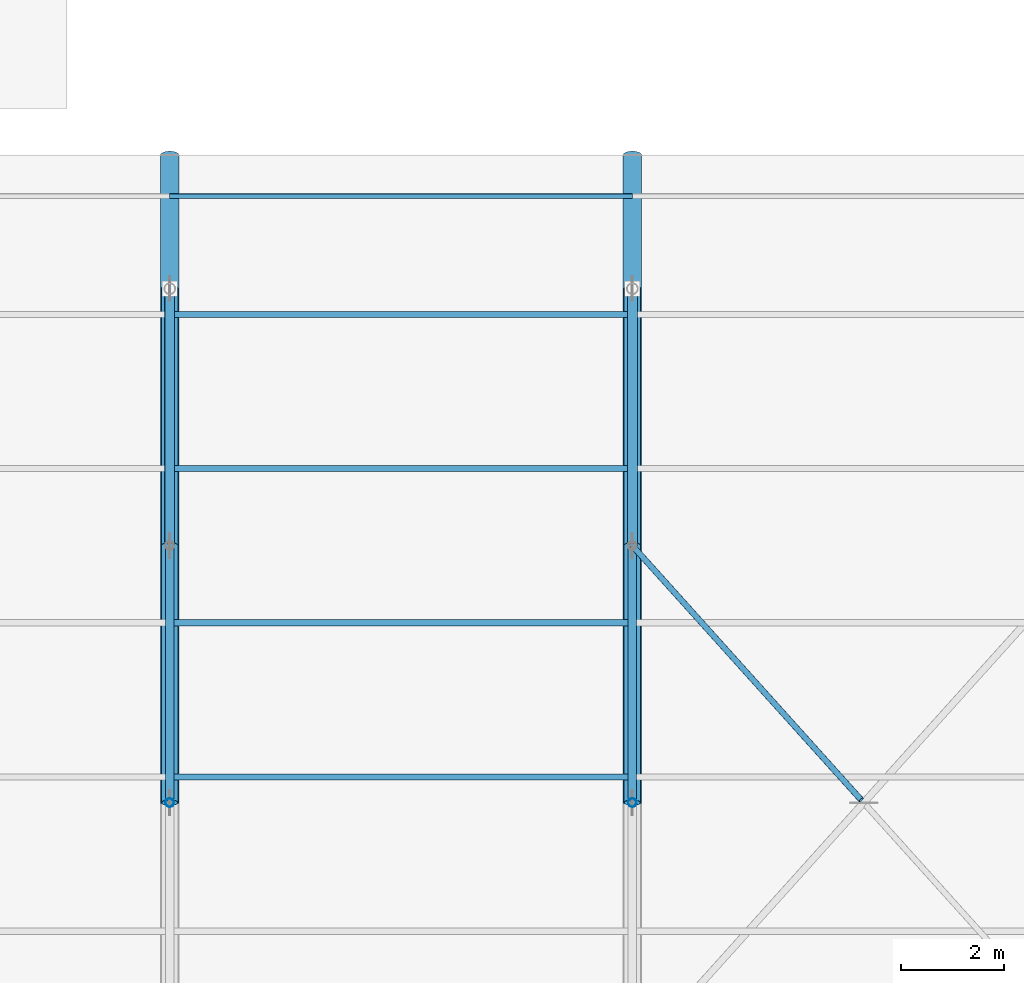
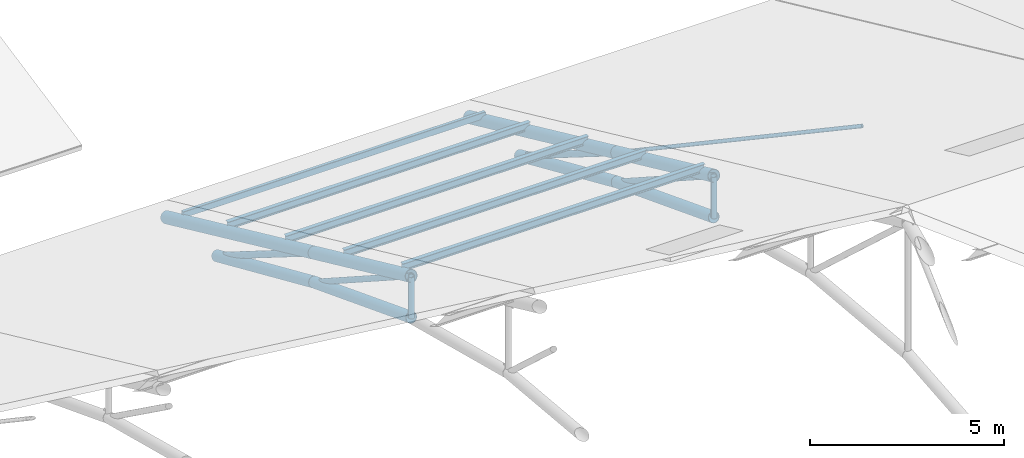
# One storey, part 48 of 107: 20 members.
"""IFC4 building model written with IfcOpenShell, lengths in metres."""

from ifc_helpers import new_model, si_unit, derived_unit, direction, frame, origin, origin_2d, place, context, subcontext, project, spatial, hollow_rectangle, hollow_circle, i_section, extrude, material, material_profile, profile_set, type_object, element, save


model = new_model("IFC4")

# Units and contexts
model_context = context("Model", 3, precision=1e-05, world=origin(), true_north=direction((0.0, 1.0)))
body_context = subcontext(model_context, "Body", "Model", "MODEL_VIEW")
ifc_project = project(units=[si_unit("LENGTHUNIT", "METRE"), si_unit("AREAUNIT", "SQUARE_METRE"), si_unit("VOLUMEUNIT", "CUBIC_METRE"), si_unit("PLANEANGLEUNIT", "RADIAN"), si_unit("MASSUNIT", "GRAM", prefix="KILO"), si_unit("THERMODYNAMICTEMPERATUREUNIT", "KELVIN"), si_unit("TIMEUNIT", "SECOND"), derived_unit("THERMALTRANSMITTANCEUNIT", [(si_unit("MASSUNIT", "GRAM", prefix="KILO"), 1), (si_unit("THERMODYNAMICTEMPERATUREUNIT", "KELVIN"), -1), (si_unit("TIMEUNIT", "SECOND"), -3)])], contexts=[model_context])

# Site, building, storey
site_placement = place(None, origin())
site = spatial("IfcSite", under=ifc_project, at=site_placement, CompositionType="ELEMENT")
building_placement = place(site_placement, origin())
building = spatial("IfcBuilding", under=site, at=building_placement, Name="Cambertide Market Hall", CompositionType="ELEMENT")
storey_placement = place(building_placement, frame((0.0, 0.0, 18.300048828125)))
storey = spatial("IfcBuildingStorey", under=building, at=storey_placement, Name="RF", CompositionType="ELEMENT", Elevation=18.300048828125)

# Members
ifc_material_1 = material(Name="Steel S355", Category="steel")
ifc_material_profile_1 = material_profile(ifc_material_1, hollow_circle(Radius=0.161865234375, WallThickness=0.010009765625, at=origin_2d()), Name="CHS 323.9x10")
ifc_profile_set_1 = profile_set([ifc_material_profile_1], Name="Steel S355")
member_type_1 = type_object("IfcMemberType", Name="Arched Truss Chord CHS 323.9x10", PredefinedType="CHORD", material=ifc_profile_set_1)
member_1_placement = place(storey_placement, frame((87.0, 82.0, -6.251220703125), z_axis=(0.0, 0.933191676524, -0.359379040661), x_axis=(-1.0, 0.0, 0.0)))
element("IfcMember", 1, at=member_1_placement, inside=storey, type_object=member_type_1, Name="Roof Truss 6 Arched Bottom Chord 7", PredefinedType="CHORD", context=body_context, shape_type="SweptSolid", body=[
    extrude(hollow_circle(Radius=0.161865234375, WallThickness=0.010009765625, at=origin_2d()), origin(), (0.0, 0.0, 1.0), 5.35791015625),
])
member_2_placement = place(storey_placement, frame((87.0, 87.0, -8.1767578125), z_axis=(0.0, 0.915087583381, -0.403255148438), x_axis=(-1.0, 0.0, 0.0)))
element("IfcMember", 2, at=member_2_placement, inside=storey, type_object=member_type_1, Name="Roof Truss 6 Arched Bottom Chord 8", PredefinedType="CHORD", context=body_context, shape_type="SweptSolid", body=[
    extrude(hollow_circle(Radius=0.161865234375, WallThickness=0.010009765625, at=origin_2d()), origin(), (0.0, 0.0, 1.0), 5.4638671875),
])
member_3_placement = place(storey_placement, frame((96.0, 82.0, -6.251220703125), z_axis=(0.0, 0.933191676524, -0.359379040661), x_axis=(-1.0, 0.0, 0.0)))
element("IfcMember", 3, at=member_3_placement, inside=storey, type_object=member_type_1, Name="Roof Truss 7 Arched Bottom Chord 7", PredefinedType="CHORD", context=body_context, shape_type="SweptSolid", body=[
    extrude(hollow_circle(Radius=0.161865234375, WallThickness=0.010009765625, at=origin_2d()), origin(), (0.0, 0.0, 1.0), 5.35791015625),
])
member_4_placement = place(storey_placement, frame((96.0, 87.0, -8.1767578125), z_axis=(0.0, 0.915087583381, -0.403255148438), x_axis=(-1.0, 0.0, 0.0)))
element("IfcMember", 4, at=member_4_placement, inside=storey, type_object=member_type_1, Name="Roof Truss 7 Arched Bottom Chord 8", PredefinedType="CHORD", context=body_context, shape_type="SweptSolid", body=[
    extrude(hollow_circle(Radius=0.161865234375, WallThickness=0.010009765625, at=origin_2d()), origin(), (0.0, 0.0, 1.0), 5.4638671875),
])
ifc_material_2 = material(Name="Steel S355", Category="steel")
ifc_material_profile_2 = material_profile(ifc_material_2, hollow_circle(Radius=0.177734375, WallThickness=0.012451171875, at=origin_2d()), Name="CHS 355.6x12.5")
ifc_profile_set_2 = profile_set([ifc_material_profile_2], Name="Steel S355")
member_type_2 = type_object("IfcMemberType", Name="Arched Truss Chord CHS 355.6x12.5", PredefinedType="CHORD", material=ifc_profile_set_2)
for number, where, z_axis, x_axis, name in (
    (5, (87.0, 82.0, -4.949951171875), (0.0, 0.908487084298, -0.417912930721), (-1.0, 0.0, 0.0), "Roof Truss 6 Top Chord 7"),
    (6, (96.0, 82.0, -4.949951171875), (0.0, 0.908487084298, -0.417912930721), (-1.0, 0.0, 0.0), "Roof Truss 7 Top Chord 7"),
):
    element("IfcMember", number, at=place(storey_placement, frame(where, z_axis=z_axis, x_axis=x_axis)), inside=storey, type_object=member_type_2, Name=name, PredefinedType="CHORD", context=body_context, shape_type="SweptSolid", body=[
        extrude(hollow_circle(Radius=0.177734375, WallThickness=0.012451171875, at=origin_2d()), origin(), (0.0, 0.0, 1.0), 5.503662109375),
    ])
ifc_material_3 = material(Name="Steel S355", Category="steel")
ifc_material_profile_3 = material_profile(ifc_material_3, hollow_circle(Radius=0.177734375, WallThickness=0.012451171875, at=origin_2d()), Name="CHS 355.6x12.5")
ifc_profile_set_3 = profile_set([ifc_material_profile_3], Name="Steel S355")
member_type_3 = type_object("IfcMemberType", Name="Exterior Arched Truss Chord CHS 355.6x12.5", PredefinedType="CHORD", material=ifc_profile_set_3)
for number, where, z_axis, x_axis, name in (
    (7, (87.0, 87.0, -7.25), (0.0, 0.908488236671, -0.417910425606), (-1.0, 0.0, 0.0), "Roof Truss 6 Top Chord 8"),
    (8, (96.0, 87.0, -7.25), (0.0, 0.908488236671, -0.417910425606), (-1.0, 0.0, 0.0), "Roof Truss 7 Top Chord 8"),
):
    element("IfcMember", number, at=place(storey_placement, frame(where, z_axis=z_axis, x_axis=x_axis)), inside=storey, type_object=member_type_3, Name=name, PredefinedType="CHORD", context=body_context, shape_type="SweptSolid", body=[
        extrude(hollow_circle(Radius=0.177734375, WallThickness=0.012451171875, at=origin_2d()), origin(), (0.0, 0.0, 1.0), 8.36572265625),
    ])
ifc_material_4 = material(Name="Steel S275", Category="steel")
ifc_material_profile_4 = material_profile(ifc_material_4, hollow_rectangle(XDim=0.10009765625, YDim=0.199951171875, WallThickness=0.00634765625, InnerFilletRadius=0.00634765625, OuterFilletRadius=0.0126953125, at=origin_2d()), Name="RHS 200x100x6.3")
ifc_profile_set_4 = profile_set([ifc_material_profile_4], Name="Steel S275")
member_type_4 = type_object("IfcMemberType", Name="Exterior Roof Purlin RHS 200x100x6.3", PredefinedType="PURLIN", material=ifc_profile_set_4)
member_5_placement = place(storey_placement, frame((87.0, 93.800048828125, -10.16796875), z_axis=(1.0, 0.0, 0.0), x_axis=(0.0, 1.0, 0.0)))
element("IfcMember", 9, at=member_5_placement, inside=storey, type_object=member_type_4, Name="Barrel Roof Purlin 6-16", PredefinedType="PURLIN", context=body_context, shape_type="SweptSolid", body=[
    extrude(hollow_rectangle(XDim=0.10009765625, YDim=0.199951171875, WallThickness=0.00634765625, InnerFilletRadius=0.00634765625, OuterFilletRadius=0.0126953125, at=origin_2d()), origin(), (0.0, 0.0, 1.0), 9.0),
])
ifc_material_5 = material(Name="Steel S275", Category="steel")
ifc_material_profile_5 = material_profile(ifc_material_5, i_section(OverallWidth=0.1201171875, OverallDepth=0.239990234375, WebThickness=0.006103515625, FlangeThickness=0.009765625, FilletRadius=0.014892578125, at=origin_2d()), Name="IPE 240")
ifc_profile_set_5 = profile_set([ifc_material_profile_5], Name="Steel S275")
member_type_5 = type_object("IfcMemberType", Name="Roof Purlin IPE 240", PredefinedType="PURLIN", material=ifc_profile_set_5)
for number, where, z_axis, x_axis, name in (
    (10, (87.0, 82.5, -4.969970703125), (1.0, 0.0, 0.0), (0.0, 1.0, 0.0), "Barrel Roof Purlin 6-12"),
    (11, (87.0, 85.5, -6.35009765625), (1.0, 0.0, 0.0), (0.0, 1.0, 0.0), "Barrel Roof Purlin 6-13"),
    (12, (87.0, 88.5, -7.72998046875), (1.0, 0.0, 0.0), (0.0, 1.0, 0.0), "Barrel Roof Purlin 6-14"),
    (13, (87.0, 91.5, -9.110107421875), (1.0, 0.0, 0.0), (0.0, 1.0, 0.0), "Barrel Roof Purlin 6-15"),
):
    element("IfcMember", number, at=place(storey_placement, frame(where, z_axis=z_axis, x_axis=x_axis)), inside=storey, type_object=member_type_5, Name=name, PredefinedType="PURLIN", context=body_context, shape_type="SweptSolid", body=[
        extrude(i_section(OverallWidth=0.1201171875, OverallDepth=0.239990234375, WebThickness=0.006103515625, FlangeThickness=0.009765625, FilletRadius=0.014892578125, at=origin_2d()), origin(), (0.0, 0.0, 1.0), 9.0),
    ])
ifc_material_6 = material(Name="Steel S275", Category="steel")
ifc_material_profile_6 = material_profile(ifc_material_6, hollow_circle(Radius=0.05712890625, WallThickness=0.0048828125, at=origin_2d()), Name="CHS 114.3x5")
ifc_profile_set_6 = profile_set([ifc_material_profile_6], Name="Steel S275")
member_type_6 = type_object("IfcMemberType", Name="Structural Brace CHS 114.3x5", PredefinedType="BRACE", material=ifc_profile_set_6)
member_6_placement = place(storey_placement, frame((100.45068359375, 82.054931640625, -4.975341796875), z_axis=(-0.632999690254, 0.703313698634, -0.323513884481), x_axis=(-0.743285022771, -0.66897486868, 0.0)))
element("IfcMember", 14, at=member_6_placement, inside=storey, type_object=member_type_6, Name="Roof Wind X-Brace Split Segment 7-N2B", PredefinedType="BRACE", context=body_context, shape_type="SweptSolid", body=[
    extrude(hollow_circle(Radius=0.05712890625, WallThickness=0.0048828125, at=origin_2d()), origin(), (0.0, 0.0, 1.0), 7.031005859375),
])
ifc_material_7 = material(Name="Steel S355", Category="steel")
ifc_material_profile_7 = material_profile(ifc_material_7, hollow_circle(Radius=0.084228515625, WallThickness=0.00634765625, at=origin_2d()), Name="CHS 168.3x6.3")
ifc_profile_set_7 = profile_set([ifc_material_profile_7], Name="Steel S355")
member_type_7 = type_object("IfcMemberType", Name="Structural Brace CHS 168.3x6.3", PredefinedType="BRACE", material=ifc_profile_set_7)
member_7_placement = place(storey_placement, frame((87.0, 82.0, -4.949951171875), z_axis=(0.0, 0.840220073362, -0.542245542462), x_axis=(-1.0, 0.0, 0.0)))
element("IfcMember", 15, at=member_7_placement, inside=storey, type_object=member_type_7, Name="Roof Truss 6 Web Diagonal 7", PredefinedType="BRACE", context=body_context, shape_type="SweptSolid", body=[
    extrude(hollow_circle(Radius=0.084228515625, WallThickness=0.00634765625, at=origin_2d()), origin(), (0.0, 0.0, 1.0), 5.950927734375),
])
member_8_placement = place(storey_placement, frame((87.0, 82.0, -6.251220703125), z_axis=(0.0, 0.0, 1.0), x_axis=(1.0, 0.0, 0.0)))
element("IfcMember", 16, at=member_8_placement, inside=storey, type_object=member_type_7, Name="Roof Truss 6 Web Post 7", PredefinedType="BRACE", context=body_context, shape_type="SweptSolid", body=[
    extrude(hollow_circle(Radius=0.084228515625, WallThickness=0.00634765625, at=origin_2d()), origin(), (0.0, 0.0, 1.0), 1.30126953125),
])
member_9_placement = place(storey_placement, frame((96.0, 82.0, -4.949951171875), z_axis=(0.0, 0.840220073362, -0.542245542462), x_axis=(-1.0, 0.0, 0.0)))
element("IfcMember", 17, at=member_9_placement, inside=storey, type_object=member_type_7, Name="Roof Truss 7 Web Diagonal 7", PredefinedType="BRACE", context=body_context, shape_type="SweptSolid", body=[
    extrude(hollow_circle(Radius=0.084228515625, WallThickness=0.00634765625, at=origin_2d()), origin(), (0.0, 0.0, 1.0), 5.950927734375),
])
member_10_placement = place(storey_placement, frame((96.0, 82.0, -6.251220703125), z_axis=(0.0, 0.0, 1.0), x_axis=(1.0, 0.0, 0.0)))
element("IfcMember", 18, at=member_10_placement, inside=storey, type_object=member_type_7, Name="Roof Truss 7 Web Post 7", PredefinedType="BRACE", context=body_context, shape_type="SweptSolid", body=[
    extrude(hollow_circle(Radius=0.084228515625, WallThickness=0.00634765625, at=origin_2d()), origin(), (0.0, 0.0, 1.0), 1.30126953125),
])
ifc_material_8 = material(Name="Steel S355", Category="steel")
ifc_material_profile_8 = material_profile(ifc_material_8, hollow_circle(Radius=0.096923828125, WallThickness=0.00634765625, at=origin_2d()), Name="CHS 193.7x6.3")
ifc_profile_set_8 = profile_set([ifc_material_profile_8], Name="Steel S355")
member_type_8 = type_object("IfcMemberType", Name="Structural Brace CHS 193.7x6.3", PredefinedType="BRACE", material=ifc_profile_set_8)
for number, where, z_axis, x_axis, name in (
    (19, (87.0, 87.0, -7.25), (0.0, 0.847607454032, -0.530623787507), (-1.0, 0.0, 0.0), "Roof Truss 6 Web Diagonal 8"),
    (20, (96.0, 87.0, -7.25), (0.0, 0.847607454032, -0.530623787507), (-1.0, 0.0, 0.0), "Roof Truss 7 Web Diagonal 8"),
):
    element("IfcMember", number, at=place(storey_placement, frame(where, z_axis=z_axis, x_axis=x_axis)), inside=storey, type_object=member_type_8, Name=name, PredefinedType="BRACE", context=body_context, shape_type="SweptSolid", body=[
        extrude(hollow_circle(Radius=0.096923828125, WallThickness=0.00634765625, at=origin_2d()), origin(), (0.0, 0.0, 1.0), 5.89892578125),
    ])

save(model, "model.ifc")
